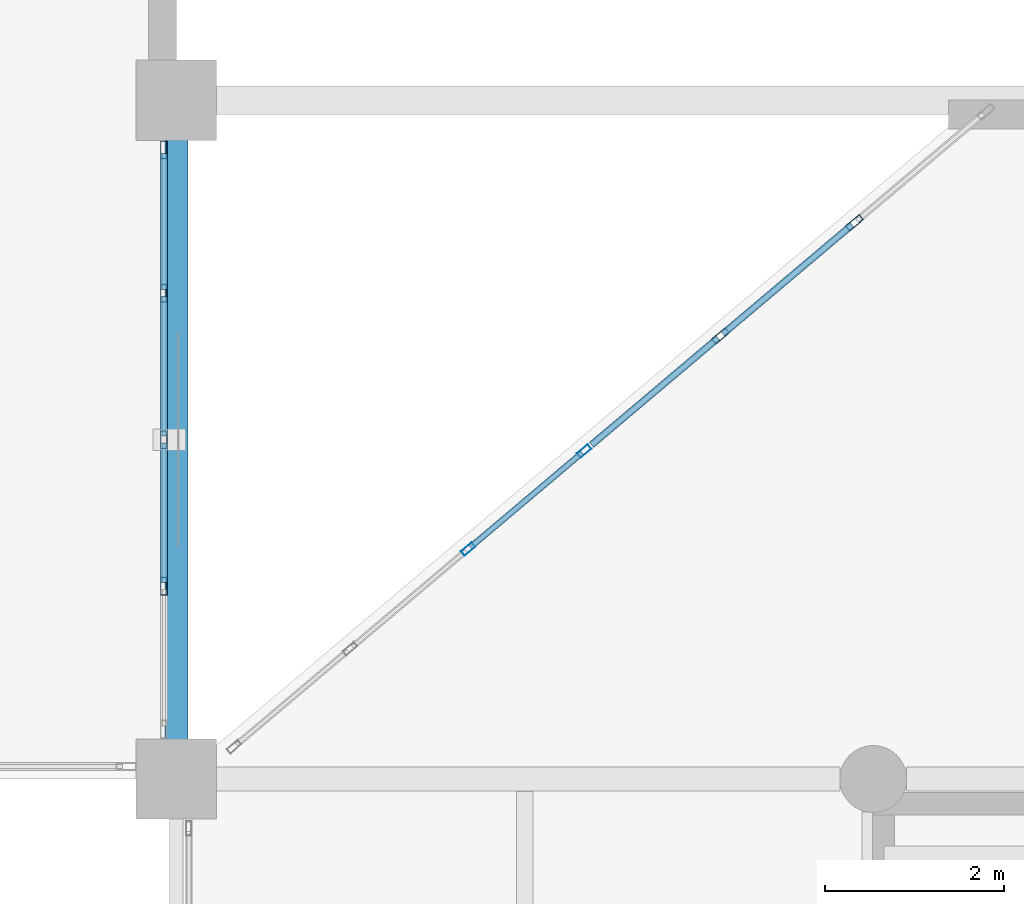
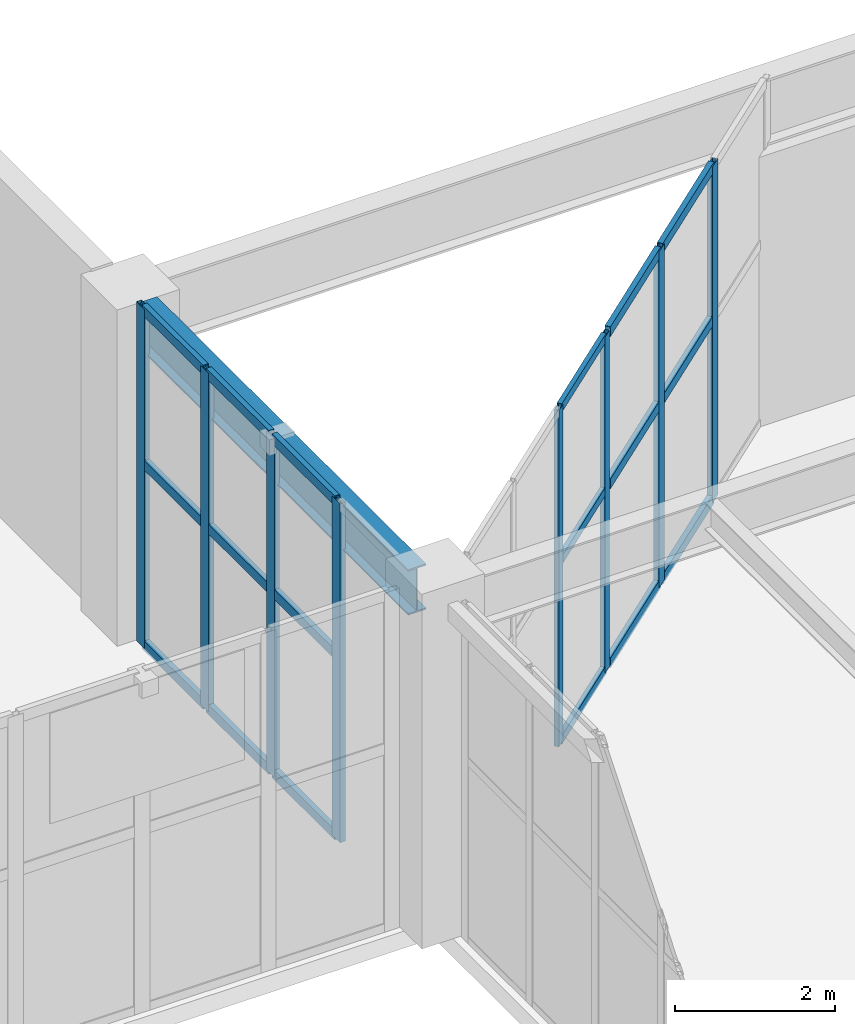
# One storey, part 87 of 139: 26 members, 1 beam, 3 elements without a shape of their own.
"""IFC4 building model written with IfcOpenShell, lengths in metres."""

from ifc_helpers import new_model, si_unit, direction, frame, origin, origin_2d, place, context, subcontext, project, spatial, hollow_rectangle, i_section, extrude, material, layer, layer_set, material_profile, profile_set, type_object, element, aggregate, save


model = new_model("IFC4")

# Units and contexts
model_context = context("Model", 3, precision=1e-05, world=origin(), true_north=direction((0.0, 1.0)))
body_context = subcontext(model_context, "Body", "Model", "MODEL_VIEW")
ifc_project = project(units=[si_unit("LENGTHUNIT", "METRE"), si_unit("AREAUNIT", "SQUARE_METRE"), si_unit("VOLUMEUNIT", "CUBIC_METRE"), si_unit("PLANEANGLEUNIT", "RADIAN"), si_unit("MASSUNIT", "GRAM", prefix="KILO")], contexts=[model_context])

# Site, building, storey
site_placement = place(None, origin())
site = spatial("IfcSite", under=ifc_project, at=site_placement, CompositionType="ELEMENT")
building_placement = place(site_placement, origin())
building = spatial("IfcBuilding", under=site, at=building_placement, Name="Xicomal Pleat Aquarium", CompositionType="ELEMENT")
storey_placement = place(building_placement, origin())
storey = spatial("IfcBuildingStorey", under=building, at=storey_placement, Name="L01", CompositionType="ELEMENT", Elevation=0.0)

# Beam
ifc_material_1 = material(Name="Structural steel A992 Gr 50", Category="steel")
ifc_material_profile_1 = material_profile(ifc_material_1, i_section(OverallWidth=0.256103515625, OverallDepth=0.693115234375, WebThickness=0.014404296875, FlangeThickness=0.023681640625, at=origin_2d()), Name="IR 690x170")
ifc_profile_set_1 = profile_set([ifc_material_profile_1], Name="Structural steel A992 Gr 50")
beam_type = type_object("IfcBeamType", Name="BM-STL-IR690", PredefinedType="BEAM", material=ifc_profile_set_1)
beam_placement = place(storey_placement, frame((133.800048828125, 30.844970703125, 4.7734375), z_axis=(0.0, 1.0, 0.0), x_axis=(-1.0, 0.0, 0.0)))
element("IfcBeam", 1, at=beam_placement, inside=storey, type_object=beam_type, Name="L01 framing beam FGY-L01-17-E-F", PredefinedType="BEAM", context=body_context, shape_type="SweptSolid", body=[
    extrude(i_section(OverallWidth=0.256103515625, OverallDepth=0.693115234375, WebThickness=0.014404296875, FlangeThickness=0.023681640625, at=origin_2d()), origin(), (0.0, 0.0, 1.0), 6.7099609375),
])

# Curtain wall, members
ifc_material_2 = material(Name="Bronze anodized aluminium 6063-T6", Category="aluminium")
ifc_layer_1 = layer(ifc_material_2, 0.159912109375)
ifc_layer_set_1 = layer_set([ifc_layer_1], Name="Bronze anodized aluminium 6063-T6")
curtain_wall_type_1 = type_object("IfcCurtainWallType", Name="CW-SYS-01", PredefinedType="NOTDEFINED", material=ifc_layer_set_1)
curtain_wall_1_placement = place(storey_placement, origin())
curtain_wall_1 = element("IfcCurtainWall", 2, at=curtain_wall_1_placement, inside=storey, type_object=curtain_wall_type_1, Name="L01 unitised curtain wall CW-L01-054", PredefinedType="NOTDEFINED")
ifc_material_3 = material(Name="Bronze anodized aluminium 6063-T6", Category="aluminium")
ifc_material_profile_2 = material_profile(ifc_material_3, hollow_rectangle(XDim=0.06494140625, YDim=0.159912109375, WallThickness=0.00390625, at=origin_2d()), Name="ALU MULL 65x160")
ifc_profile_set_2 = profile_set([ifc_material_profile_2], Name="Bronze anodized aluminium 6063-T6")
member_type_1 = type_object("IfcMemberType", Name="CWM-65x160", PredefinedType="MULLION", material=ifc_profile_set_2)
member_1_placement = place(storey_placement, frame((137.06689453125, 32.9755859375, 0.0), z_axis=(0.0, 0.0, 1.0), x_axis=(-0.645225762435, 0.763991960357, 0.0)))
member_1 = element("IfcMember", 3, at=member_1_placement, type_object=member_type_1, Name="CW-01 mullion 3", PredefinedType="MULLION", context=body_context, shape_type="SweptSolid", body=[
    extrude(hollow_rectangle(XDim=0.06494140625, YDim=0.159912109375, WallThickness=0.00390625, at=origin_2d()), origin(), (0.0, 0.0, 1.0), 5.1201171875),
])
member_2_placement = place(storey_placement, frame((138.365234375, 34.072021484375, 0.0), z_axis=(0.0, 0.0, 1.0), x_axis=(-0.645225762435, 0.763991960357, 0.0)))
member_2 = element("IfcMember", 4, at=member_2_placement, type_object=member_type_1, Name="CW-01 mullion 4", PredefinedType="MULLION", context=body_context, shape_type="SweptSolid", body=[
    extrude(hollow_rectangle(XDim=0.06494140625, YDim=0.159912109375, WallThickness=0.00390625, at=origin_2d()), origin(), (0.0, 0.0, 1.0), 5.1201171875),
])

ifc_material_4 = material(Name="Bronze anodized aluminium 6063-T6", Category="aluminium")
ifc_layer_2 = layer(ifc_material_4, 0.159912109375)
ifc_layer_set_2 = layer_set([ifc_layer_2], Name="Bronze anodized aluminium 6063-T6")
curtain_wall_type_2 = type_object("IfcCurtainWallType", Name="CW-SYS-06", PredefinedType="NOTDEFINED", material=ifc_layer_set_2)
curtain_wall_2_placement = place(storey_placement, origin())
curtain_wall_2 = element("IfcCurtainWall", 5, at=curtain_wall_2_placement, inside=storey, type_object=curtain_wall_type_2, Name="L01 unitised curtain wall CW-L01-046", PredefinedType="NOTDEFINED")
ifc_material_5 = material(Name="Bronze anodized aluminium 6063-T6", Category="aluminium")
ifc_material_profile_3 = material_profile(ifc_material_5, hollow_rectangle(XDim=0.074951171875, YDim=0.199951171875, WallThickness=0.00439453125, at=origin_2d()), Name="ALU MULL 75x200")
ifc_profile_set_3 = profile_set([ifc_material_profile_3], Name="Bronze anodized aluminium 6063-T6")
member_type_2 = type_object("IfcMemberType", Name="CWM-75x200", PredefinedType="MULLION", material=ifc_profile_set_3)
member_3_placement = place(storey_placement, frame((133.659912109375, 37.4423828125, 0.0), z_axis=(0.0, 0.0, 1.0), x_axis=(1.0, 0.0, 0.0)))
member_3 = element("IfcMember", 6, at=member_3_placement, type_object=member_type_2, Name="CW-06 mullion 1", PredefinedType="MULLION", context=body_context, shape_type="SweptSolid", body=[
    extrude(hollow_rectangle(XDim=0.074951171875, YDim=0.199951171875, WallThickness=0.00439453125, at=origin_2d()), origin(), (0.0, 0.0, 1.0), 5.159912109375),
])
member_4_placement = place(storey_placement, frame((133.659912109375, 35.840087890625, 0.0), z_axis=(0.0, 0.0, 1.0), x_axis=(1.0, 0.0, 0.0)))
member_4 = element("IfcMember", 7, at=member_4_placement, type_object=member_type_2, Name="CW-06 mullion 2", PredefinedType="MULLION", context=body_context, shape_type="SweptSolid", body=[
    extrude(hollow_rectangle(XDim=0.074951171875, YDim=0.199951171875, WallThickness=0.00439453125, at=origin_2d()), origin(), (0.0, 0.0, 1.0), 5.159912109375),
])
member_5_placement = place(storey_placement, frame((133.659912109375, 34.199951171875, 0.0), z_axis=(0.0, 0.0, 1.0), x_axis=(1.0, 0.0, 0.0)))
member_5 = element("IfcMember", 8, at=member_5_placement, type_object=member_type_2, Name="CW-06 mullion 3", PredefinedType="MULLION", context=body_context, shape_type="SweptSolid", body=[
    extrude(hollow_rectangle(XDim=0.074951171875, YDim=0.199951171875, WallThickness=0.00439453125, at=origin_2d()), origin(), (0.0, 0.0, 1.0), 5.159912109375),
])
member_6_placement = place(storey_placement, frame((133.659912109375, 32.56005859375, 0.0), z_axis=(0.0, 0.0, 1.0), x_axis=(1.0, 0.0, 0.0)))
member_6 = element("IfcMember", 9, at=member_6_placement, type_object=member_type_2, Name="CW-06 mullion 4", PredefinedType="MULLION", context=body_context, shape_type="SweptSolid", body=[
    extrude(hollow_rectangle(XDim=0.074951171875, YDim=0.199951171875, WallThickness=0.00439453125, at=origin_2d()), origin(), (0.0, 0.0, 1.0), 5.159912109375),
])

curtain_wall_3_placement = place(storey_placement, origin())
curtain_wall_3 = element("IfcCurtainWall", 10, at=curtain_wall_3_placement, inside=storey, type_object=curtain_wall_type_2, Name="L01 unitised curtain wall CW-L01-055", PredefinedType="NOTDEFINED")
member_7_placement = place(storey_placement, frame((139.889892578125, 35.359619140625, 0.0), z_axis=(0.0, 0.0, 1.0), x_axis=(-0.645180817828, 0.764029915846, 0.0)))
member_7 = element("IfcMember", 11, at=member_7_placement, type_object=member_type_2, Name="CW-06 mullion 2", PredefinedType="MULLION", context=body_context, shape_type="SweptSolid", body=[
    extrude(hollow_rectangle(XDim=0.074951171875, YDim=0.199951171875, WallThickness=0.00439453125, at=origin_2d()), origin(), (0.0, 0.0, 1.0), 5.1201171875),
])
member_8_placement = place(storey_placement, frame((141.389892578125, 36.626220703125, 0.0), z_axis=(0.0, 0.0, 1.0), x_axis=(-0.645180817828, 0.764029915846, 0.0)))
member_8 = element("IfcMember", 12, at=member_8_placement, type_object=member_type_2, Name="CW-06 mullion 3", PredefinedType="MULLION", context=body_context, shape_type="SweptSolid", body=[
    extrude(hollow_rectangle(XDim=0.074951171875, YDim=0.199951171875, WallThickness=0.00439453125, at=origin_2d()), origin(), (0.0, 0.0, 1.0), 5.1201171875),
])

# Member
ifc_material_6 = material(Name="Bronze anodized aluminium 6063-T6", Category="aluminium")
ifc_material_profile_4 = material_profile(ifc_material_6, hollow_rectangle(XDim=0.06494140625, YDim=0.1298828125, WallThickness=0.00390625, at=origin_2d()), Name="ALU TRAN 65x130")
ifc_profile_set_4 = profile_set([ifc_material_profile_4], Name="Bronze anodized aluminium 6063-T6")
member_type_3 = type_object("IfcMemberType", Name="CWT-65x130", PredefinedType="USERDEFINED", material=ifc_profile_set_4)
member_9_placement = place(storey_placement, frame((137.091796875, 32.99658203125, 0.032470703125), z_axis=(0.763992275781, 0.645225388951, 0.0), x_axis=(-0.645225388951, 0.763992275781, 0.0)))
member_9 = element("IfcMember", 13, at=member_9_placement, type_object=member_type_3, Name="CW-01 transom 3.1", ObjectType="TRANSOM", PredefinedType="USERDEFINED", context=body_context, shape_type="SweptSolid", body=[
    extrude(hollow_rectangle(XDim=0.06494140625, YDim=0.1298828125, WallThickness=0.00390625, at=origin_2d()), origin(), (0.0, 0.0, 1.0), 1.63427734375),
])

member_10_placement = place(storey_placement, frame((137.091796875, 32.99658203125, 2.764892578125), z_axis=(0.763992275781, 0.645225388951, 0.0), x_axis=(-0.645225388951, 0.763992275781, 0.0)))
member_10 = element("IfcMember", 14, at=member_10_placement, type_object=member_type_3, Name="CW-01 transom 3.2", ObjectType="TRANSOM", PredefinedType="USERDEFINED", context=body_context, shape_type="SweptSolid", body=[
    extrude(hollow_rectangle(XDim=0.06494140625, YDim=0.1298828125, WallThickness=0.00390625, at=origin_2d()), origin(), (0.0, 0.0, 1.0), 1.63427734375),
])

member_11_placement = place(storey_placement, frame((137.091796875, 32.99658203125, 5.08740234375), z_axis=(0.763992275781, 0.645225388951, 0.0), x_axis=(-0.645225388951, 0.763992275781, 0.0)))
member_11 = element("IfcMember", 15, at=member_11_placement, type_object=member_type_3, Name="CW-01 transom 3.3", ObjectType="TRANSOM", PredefinedType="USERDEFINED", context=body_context, shape_type="SweptSolid", body=[
    extrude(hollow_rectangle(XDim=0.06494140625, YDim=0.1298828125, WallThickness=0.00390625, at=origin_2d()), origin(), (0.0, 0.0, 1.0), 1.63427734375),
])

aggregate(curtain_wall_1, [member_1, member_2, member_9, member_10, member_11])

ifc_material_7 = material(Name="Bronze anodized aluminium 6063-T6", Category="aluminium")
ifc_material_profile_5 = material_profile(ifc_material_7, hollow_rectangle(XDim=0.074951171875, YDim=0.14990234375, WallThickness=0.00439453125, at=origin_2d()), Name="ALU TRAN 75x150")
ifc_profile_set_5 = profile_set([ifc_material_profile_5], Name="Bronze anodized aluminium 6063-T6")
member_type_4 = type_object("IfcMemberType", Name="CWT-75x150", PredefinedType="USERDEFINED", material=ifc_profile_set_5)
member_12_placement = place(storey_placement, frame((133.659912109375, 37.405029296875, 0.03759765625), z_axis=(0.0, -1.0, 0.0), x_axis=(1.0, 0.0, 0.0)))
member_12 = element("IfcMember", 16, at=member_12_placement, type_object=member_type_4, Name="CW-06 transom 1.1", ObjectType="TRANSOM", PredefinedType="USERDEFINED", context=body_context, shape_type="SweptSolid", body=[
    extrude(hollow_rectangle(XDim=0.074951171875, YDim=0.14990234375, WallThickness=0.00439453125, at=origin_2d()), origin(), (0.0, 0.0, 1.0), 1.527587890625),
])

member_13_placement = place(storey_placement, frame((133.659912109375, 37.405029296875, 2.785888671875), z_axis=(0.0, -1.0, 0.0), x_axis=(1.0, 0.0, 0.0)))
member_13 = element("IfcMember", 17, at=member_13_placement, type_object=member_type_4, Name="CW-06 transom 1.2", ObjectType="TRANSOM", PredefinedType="USERDEFINED", context=body_context, shape_type="SweptSolid", body=[
    extrude(hollow_rectangle(XDim=0.074951171875, YDim=0.14990234375, WallThickness=0.00439453125, at=origin_2d()), origin(), (0.0, 0.0, 1.0), 1.527587890625),
])

member_14_placement = place(storey_placement, frame((133.659912109375, 37.405029296875, 5.12255859375), z_axis=(0.0, -1.0, 0.0), x_axis=(1.0, 0.0, 0.0)))
member_14 = element("IfcMember", 18, at=member_14_placement, type_object=member_type_4, Name="CW-06 transom 1.3", ObjectType="TRANSOM", PredefinedType="USERDEFINED", context=body_context, shape_type="SweptSolid", body=[
    extrude(hollow_rectangle(XDim=0.074951171875, YDim=0.14990234375, WallThickness=0.00439453125, at=origin_2d()), origin(), (0.0, 0.0, 1.0), 1.527587890625),
])

member_15_placement = place(storey_placement, frame((133.659912109375, 35.802490234375, 0.03759765625), z_axis=(0.0, -1.0, 0.0), x_axis=(1.0, 0.0, 0.0)))
member_15 = element("IfcMember", 19, at=member_15_placement, type_object=member_type_4, Name="CW-06 transom 2.1", ObjectType="TRANSOM", PredefinedType="USERDEFINED", context=body_context, shape_type="SweptSolid", body=[
    extrude(hollow_rectangle(XDim=0.074951171875, YDim=0.14990234375, WallThickness=0.00439453125, at=origin_2d()), origin(), (0.0, 0.0, 1.0), 1.56494140625),
])

member_16_placement = place(storey_placement, frame((133.659912109375, 35.802490234375, 2.785888671875), z_axis=(0.0, -1.0, 0.0), x_axis=(1.0, 0.0, 0.0)))
member_16 = element("IfcMember", 20, at=member_16_placement, type_object=member_type_4, Name="CW-06 transom 2.2", ObjectType="TRANSOM", PredefinedType="USERDEFINED", context=body_context, shape_type="SweptSolid", body=[
    extrude(hollow_rectangle(XDim=0.074951171875, YDim=0.14990234375, WallThickness=0.00439453125, at=origin_2d()), origin(), (0.0, 0.0, 1.0), 1.56494140625),
])

member_17_placement = place(storey_placement, frame((133.659912109375, 35.802490234375, 5.12255859375), z_axis=(0.0, -1.0, 0.0), x_axis=(1.0, 0.0, 0.0)))
member_17 = element("IfcMember", 21, at=member_17_placement, type_object=member_type_4, Name="CW-06 transom 2.3", ObjectType="TRANSOM", PredefinedType="USERDEFINED", context=body_context, shape_type="SweptSolid", body=[
    extrude(hollow_rectangle(XDim=0.074951171875, YDim=0.14990234375, WallThickness=0.00439453125, at=origin_2d()), origin(), (0.0, 0.0, 1.0), 1.56494140625),
])

member_18_placement = place(storey_placement, frame((133.659912109375, 34.16259765625, 0.03759765625), z_axis=(0.0, -1.0, 0.0), x_axis=(1.0, 0.0, 0.0)))
member_18 = element("IfcMember", 22, at=member_18_placement, type_object=member_type_4, Name="CW-06 transom 3.1", ObjectType="TRANSOM", PredefinedType="USERDEFINED", context=body_context, shape_type="SweptSolid", body=[
    extrude(hollow_rectangle(XDim=0.074951171875, YDim=0.14990234375, WallThickness=0.00439453125, at=origin_2d()), origin(), (0.0, 0.0, 1.0), 1.565185546875),
])

member_19_placement = place(storey_placement, frame((133.659912109375, 34.16259765625, 2.785888671875), z_axis=(0.0, -1.0, 0.0), x_axis=(1.0, 0.0, 0.0)))
member_19 = element("IfcMember", 23, at=member_19_placement, type_object=member_type_4, Name="CW-06 transom 3.2", ObjectType="TRANSOM", PredefinedType="USERDEFINED", context=body_context, shape_type="SweptSolid", body=[
    extrude(hollow_rectangle(XDim=0.074951171875, YDim=0.14990234375, WallThickness=0.00439453125, at=origin_2d()), origin(), (0.0, 0.0, 1.0), 1.565185546875),
])

member_20_placement = place(storey_placement, frame((133.659912109375, 34.16259765625, 5.12255859375), z_axis=(0.0, -1.0, 0.0), x_axis=(1.0, 0.0, 0.0)))
member_20 = element("IfcMember", 24, at=member_20_placement, type_object=member_type_4, Name="CW-06 transom 3.3", ObjectType="TRANSOM", PredefinedType="USERDEFINED", context=body_context, shape_type="SweptSolid", body=[
    extrude(hollow_rectangle(XDim=0.074951171875, YDim=0.14990234375, WallThickness=0.00439453125, at=origin_2d()), origin(), (0.0, 0.0, 1.0), 1.565185546875),
])

aggregate(curtain_wall_2, [member_3, member_4, member_5, member_6, member_12, member_13, member_14, member_15, member_16, member_17, member_18, member_19, member_20])

member_21_placement = place(storey_placement, frame((138.447265625, 34.141357421875, 0.03759765625), z_axis=(0.764031360825, 0.645179106664, 0.0), x_axis=(-0.645179106664, 0.764031360825, 0.0)))
member_21 = element("IfcMember", 25, at=member_21_placement, type_object=member_type_4, Name="CW-06 transom 1.1", ObjectType="TRANSOM", PredefinedType="USERDEFINED", context=body_context, shape_type="SweptSolid", body=[
    extrude(hollow_rectangle(XDim=0.074951171875, YDim=0.14990234375, WallThickness=0.00439453125, at=origin_2d()), origin(), (0.0, 0.0, 1.0), 1.850830078125),
])

member_22_placement = place(storey_placement, frame((138.447265625, 34.141357421875, 2.764892578125), z_axis=(0.764031360825, 0.645179106664, 0.0), x_axis=(-0.645179106664, 0.764031360825, 0.0)))
member_22 = element("IfcMember", 26, at=member_22_placement, type_object=member_type_4, Name="CW-06 transom 1.2", ObjectType="TRANSOM", PredefinedType="USERDEFINED", context=body_context, shape_type="SweptSolid", body=[
    extrude(hollow_rectangle(XDim=0.074951171875, YDim=0.14990234375, WallThickness=0.00439453125, at=origin_2d()), origin(), (0.0, 0.0, 1.0), 1.850830078125),
])

member_23_placement = place(storey_placement, frame((138.447265625, 34.141357421875, 5.08251953125), z_axis=(0.764031360825, 0.645179106664, 0.0), x_axis=(-0.645179106664, 0.764031360825, 0.0)))
member_23 = element("IfcMember", 27, at=member_23_placement, type_object=member_type_4, Name="CW-06 transom 1.3", ObjectType="TRANSOM", PredefinedType="USERDEFINED", context=body_context, shape_type="SweptSolid", body=[
    extrude(hollow_rectangle(XDim=0.074951171875, YDim=0.14990234375, WallThickness=0.00439453125, at=origin_2d()), origin(), (0.0, 0.0, 1.0), 1.850830078125),
])

member_24_placement = place(storey_placement, frame((139.918701171875, 35.3837890625, 0.03759765625), z_axis=(0.764018584964, 0.645194235737, 0.0), x_axis=(-0.645194235737, 0.764018584964, 0.0)))
member_24 = element("IfcMember", 28, at=member_24_placement, type_object=member_type_4, Name="CW-06 transom 2.1", ObjectType="TRANSOM", PredefinedType="USERDEFINED", context=body_context, shape_type="SweptSolid", body=[
    extrude(hollow_rectangle(XDim=0.074951171875, YDim=0.14990234375, WallThickness=0.00439453125, at=origin_2d()), origin(), (0.0, 0.0, 1.0), 1.88818359375),
])

member_25_placement = place(storey_placement, frame((139.918701171875, 35.3837890625, 2.764892578125), z_axis=(0.764018584964, 0.645194235737, 0.0), x_axis=(-0.645194235737, 0.764018584964, 0.0)))
member_25 = element("IfcMember", 29, at=member_25_placement, type_object=member_type_4, Name="CW-06 transom 2.2", ObjectType="TRANSOM", PredefinedType="USERDEFINED", context=body_context, shape_type="SweptSolid", body=[
    extrude(hollow_rectangle(XDim=0.074951171875, YDim=0.14990234375, WallThickness=0.00439453125, at=origin_2d()), origin(), (0.0, 0.0, 1.0), 1.88818359375),
])

member_26_placement = place(storey_placement, frame((139.918701171875, 35.3837890625, 5.08251953125), z_axis=(0.764018584964, 0.645194235737, 0.0), x_axis=(-0.645194235737, 0.764018584964, 0.0)))
member_26 = element("IfcMember", 30, at=member_26_placement, type_object=member_type_4, Name="CW-06 transom 2.3", ObjectType="TRANSOM", PredefinedType="USERDEFINED", context=body_context, shape_type="SweptSolid", body=[
    extrude(hollow_rectangle(XDim=0.074951171875, YDim=0.14990234375, WallThickness=0.00439453125, at=origin_2d()), origin(), (0.0, 0.0, 1.0), 1.88818359375),
])

aggregate(curtain_wall_3, [member_7, member_8, member_21, member_22, member_23, member_24, member_25, member_26])

save(model, "model.ifc")
